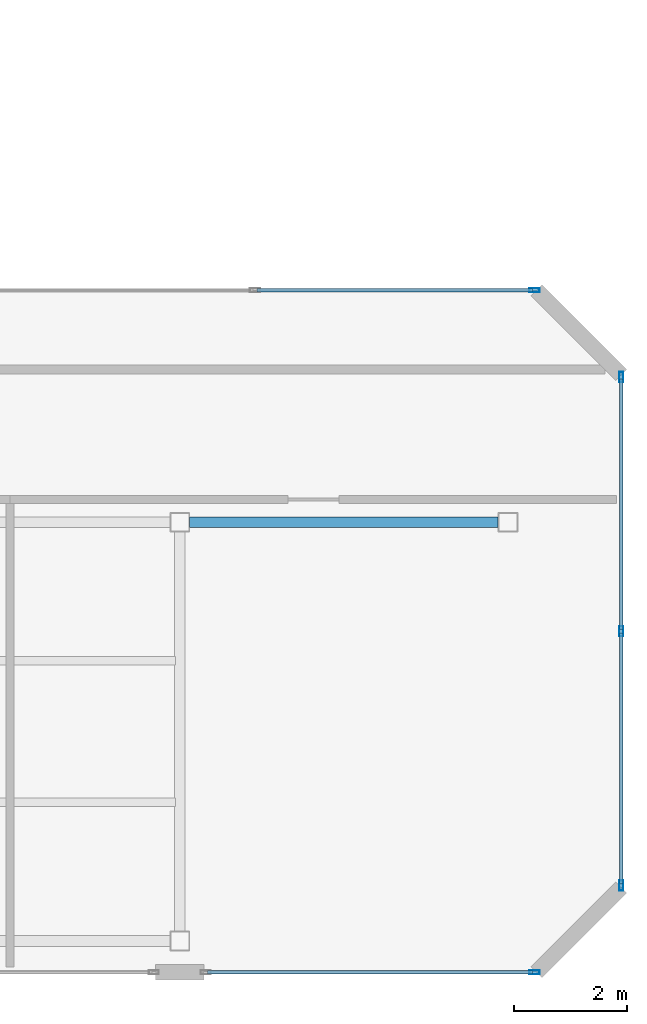
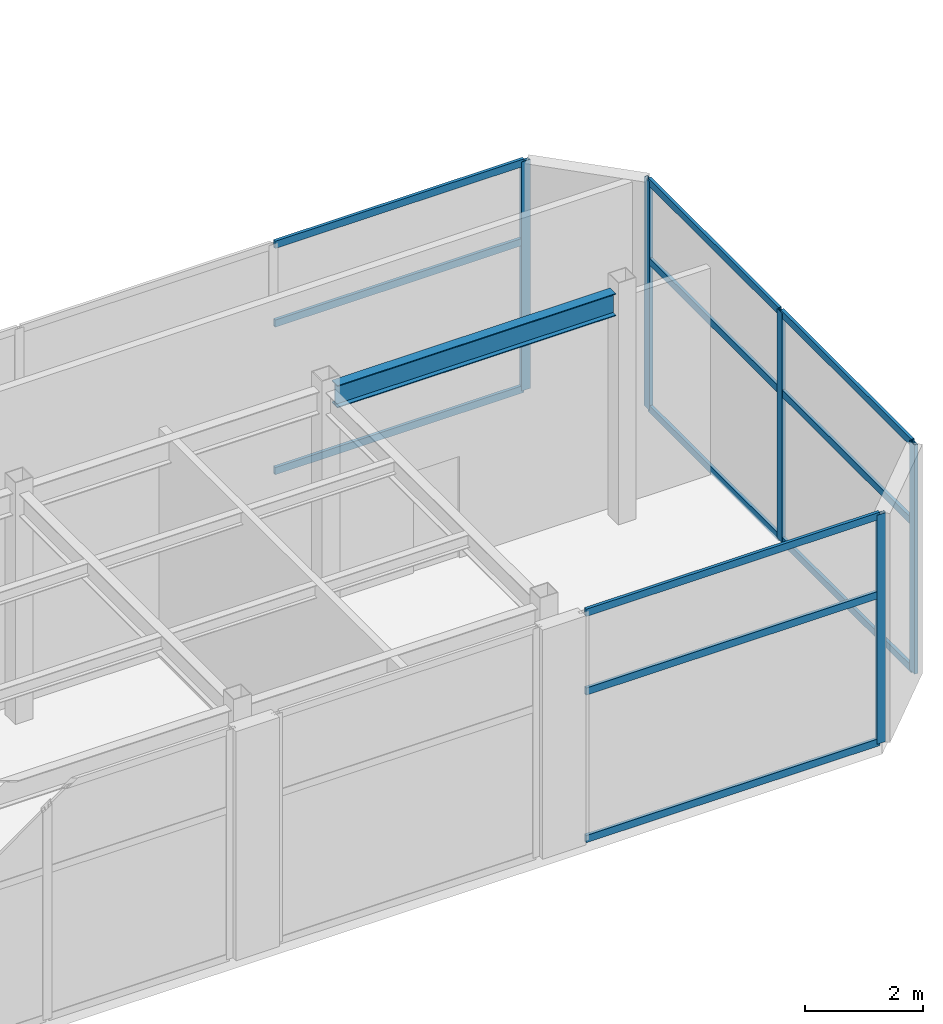
# One storey, part 12 of 18: 17 members, 1 beam, 3 elements without a shape of their own.
"""IFC4 building model written with IfcOpenShell, lengths in metres."""

import ifcopenshell
import ifcopenshell.guid

model = None  # the IFC model being written
_history = None  # IfcOwnerHistory: only IFC2X3 demands one
_inside = {}  # id of a spatial element -> (the spatial element, [elements in it])
_under = {}  # id of a project, library or spatial element -> (it, [spatial elements below it])
_declared = {}  # id of a project -> (the project, [libraries it declares])
_typed = {}  # id of a type object -> (the type object, [elements of that type])
_made_of = {}  # id of a material, layer set ... -> (it, [elements and type objects made of it])


def new_model(schema):
    """Start an empty IFC model of exactly this schema.

    Asked for "IFC4X3", IfcOpenShell would pick the latest addendum, in which some entities
    have other attributes; the version numbers below select the first issue.
    IFC2X3 requires an IfcOwnerHistory on every rooted entity: one is made here for all.
    """
    global model, _history
    if schema == "IFC4X3":
        model = ifcopenshell.file(schema_version=(4, 3, 0, 0))
    else:
        model = ifcopenshell.file(schema=schema)
    _inside.clear()
    _under.clear()
    _declared.clear()
    _typed.clear()
    _made_of.clear()
    _history = None
    if model.schema == "IFC2X3":
        org = make("IfcOrganization", Name="unknown")
        user = make(
            "IfcPersonAndOrganization",
            ThePerson=make("IfcPerson", FamilyName="unknown"),
            TheOrganization=org,
        )
        app = make(
            "IfcApplication",
            ApplicationDeveloper=org,
            Version="unknown",
            ApplicationFullName="unknown",
            ApplicationIdentifier="unknown",
        )
        _history = make(
            "IfcOwnerHistory",
            OwningUser=user,
            OwningApplication=app,
            ChangeAction="ADDED",
            CreationDate=0,
        )
    return model


def make(cls, **values):
    """One entity of the class cls with the attributes given. An attribute that is None is left unset."""
    return model.create_entity(
        cls, **{name: value for name, value in values.items() if value is not None}
    )


def rooted(cls, **values):
    """An entity with a GlobalId (a new one), such as an element, a storey or a relation."""
    return make(cls, GlobalId=ifcopenshell.guid.new(), OwnerHistory=_history, **values)


def si_unit(unit_type, name, prefix=None):
    """IfcSIUnit, for example si_unit("LENGTHUNIT", "METRE", prefix="MILLI")."""
    return make("IfcSIUnit", UnitType=unit_type, Prefix=prefix, Name=name)


def assignment(units):
    """IfcUnitAssignment: the units of a project."""
    return None if units is None else make("IfcUnitAssignment", Units=units)


def point(xyz):
    """IfcCartesianPoint."""
    return None if xyz is None else make("IfcCartesianPoint", Coordinates=xyz)


def direction(xyz):
    """IfcDirection."""
    return None if xyz is None else make("IfcDirection", DirectionRatios=xyz)


def frame(location, z_axis=None, x_axis=None):
    """IfcAxis2Placement3D, a coordinate frame: its origin and axes. An axis left out is left unset."""
    return make(
        "IfcAxis2Placement3D",
        Location=point(location),
        Axis=direction(z_axis),
        RefDirection=direction(x_axis),
    )


def frame_2d(location, x_axis=None):
    """IfcAxis2Placement2D, a coordinate frame in the plane: its origin and x axis."""
    return make(
        "IfcAxis2Placement2D", Location=point(location), RefDirection=direction(x_axis)
    )


def origin():
    """The frame at (0, 0, 0) with its axes left unset."""
    return frame((0.0, 0.0, 0.0))


def origin_2d():
    """The frame at (0, 0) in the plane with its x axis left unset."""
    return frame_2d((0.0, 0.0))


def place(relative_to, where):
    """IfcLocalPlacement: puts the frame where relative to a parent placement (None: the world)."""
    return make(
        "IfcLocalPlacement", PlacementRelTo=relative_to, RelativePlacement=where
    )


def context(
    kind, dimensions, precision=None, world=None, true_north=None, identifier=None
):
    """IfcGeometricRepresentationContext, for example the 3D "Model" context."""
    return make(
        "IfcGeometricRepresentationContext",
        ContextIdentifier=identifier,
        ContextType=kind,
        CoordinateSpaceDimension=dimensions,
        Precision=precision,
        WorldCoordinateSystem=world,
        TrueNorth=true_north,
    )


def subcontext(parent, identifier, kind, view, scale=None):
    """IfcGeometricRepresentationSubContext, for example "Body" below "Model"."""
    return make(
        "IfcGeometricRepresentationSubContext",
        ContextIdentifier=identifier,
        ContextType=kind,
        ParentContext=parent,
        TargetScale=scale,
        TargetView=view,
    )


def project(units=None, contexts=None):
    """IfcProject with its units and contexts."""
    return rooted(
        "IfcProject",
        Name="project",
        RepresentationContexts=contexts,
        UnitsInContext=assignment(units),
    )


def spatial(cls, under=None, at=None, **own):
    """A site, building, storey or space (cls), placed at a placement, below another one or the project."""
    s = rooted(cls, ObjectPlacement=at, **own)
    if under is not None:
        _under.setdefault(under.id(), (under, []))[1].append(s)
    return s


def profile(cls, at=None, kind="AREA", **sizes):
    """A parametric profile (cls). Its sizes go by their IFC names, for example OverallWidth=200.0."""
    return make(cls, ProfileType=kind, Position=at, **sizes)


def hollow_rectangle(**sizes):
    """IfcRectangleHollowProfileDef."""
    return profile("IfcRectangleHollowProfileDef", **sizes)


def i_section(**sizes):
    """IfcIShapeProfileDef."""
    return profile("IfcIShapeProfileDef", **sizes)


def extrude(swept, where, along, depth):
    """IfcExtrudedAreaSolid: the profile swept, set in the frame where, extruded along a direction by depth."""
    return make(
        "IfcExtrudedAreaSolid",
        SweptArea=swept,
        Position=where,
        ExtrudedDirection=direction(along),
        Depth=depth,
    )


def shape(context_of_items, identifier, shape_type, items):
    """IfcShapeRepresentation: the items that make up one representation, for example the "Body"."""
    return make(
        "IfcShapeRepresentation",
        ContextOfItems=context_of_items,
        RepresentationIdentifier=identifier,
        RepresentationType=shape_type,
        Items=items,
    )


def material(Name=None, Category=None):
    """IfcMaterial."""
    return make("IfcMaterial", Name=Name, Category=Category)


def layer(
    of_material, thickness, ventilated=None, Name=None, Category=None, Priority=None
):
    """IfcMaterialLayer: one layer of a wall or slab, of a material (None: an air gap)."""
    return make(
        "IfcMaterialLayer",
        Material=of_material,
        LayerThickness=thickness,
        IsVentilated=ventilated,
        Name=Name,
        Category=Category,
        Priority=Priority,
    )


def layer_set(layers, Name=None):
    """IfcMaterialLayerSet."""
    return make("IfcMaterialLayerSet", MaterialLayers=layers, LayerSetName=Name)


def material_profile(
    of_material, cross_section, Name=None, Category=None, Priority=None
):
    """IfcMaterialProfile: a cross section and its material."""
    return make(
        "IfcMaterialProfile",
        Name=Name,
        Material=of_material,
        Profile=cross_section,
        Priority=Priority,
        Category=Category,
    )


def profile_set(profiles, Name=None, composite=None):
    """IfcMaterialProfileSet."""
    return make(
        "IfcMaterialProfileSet",
        Name=Name,
        MaterialProfiles=profiles,
        CompositeProfile=composite,
    )


def made_of(thing, what):
    """Note that an element or type object is made of a material, layer set ...; save() writes the relation."""
    if what is not None:
        _made_of.setdefault(what.id(), (what, []))[1].append(thing)
    return thing


def type_object(cls, material=None, **own):
    """A type object (cls), such as IfcWallType, which elements share."""
    return made_of(rooted(cls, **own), material)


def element(
    cls,
    number,
    at=None,
    inside=None,
    cuts=None,
    type_object=None,
    material=None,
    context=None,
    identifier="Body",
    shape_type=None,
    held_by="IfcProductDefinitionShape",
    body=None,
    shapes=None,
    **own,
):
    """One element of the class cls, such as IfcWall. Its Tag is "e" and its number.

    at: its placement. inside: the storey or other place that contains it. cuts: it is an
    opening in that element (IfcRelVoidsElement). A single representation is given by context,
    identifier, shape_type and body (its items); several are given by shapes. held_by: the class
    of the entity that holds the representations. save() writes the other relations.
    """
    e = rooted(cls, Tag="e%d" % number, ObjectPlacement=at, **own)
    if body is not None:
        shapes = [shape(context, identifier, shape_type, body)]
    if shapes is not None:
        e.Representation = make(held_by, Representations=shapes)
    if inside is not None:
        _inside.setdefault(inside.id(), (inside, []))[1].append(e)
    if cuts is not None:
        rooted(
            "IfcRelVoidsElement", RelatingBuildingElement=cuts, RelatedOpeningElement=e
        )
    if type_object is not None:
        _typed.setdefault(type_object.id(), (type_object, []))[1].append(e)
    return made_of(e, material)


def aggregate(whole, parts):
    """IfcRelAggregates: a whole, such as a stair, and the parts it consists of."""
    return rooted("IfcRelAggregates", RelatingObject=whole, RelatedObjects=parts)


def save(model, path):
    """Write the relations noted so far, then the file.

    IfcRelAggregates (storeys below a building ...), IfcRelContainedInSpatialStructure (elements
    in a storey), IfcRelDefinesByType, IfcRelAssociatesMaterial and IfcRelDeclares: one each for
    every whole, place, type object, material and project.
    """
    for whole, parts in _under.values():
        aggregate(whole, parts)
    for where, things in _inside.values():
        rooted(
            "IfcRelContainedInSpatialStructure",
            RelatedElements=things,
            RelatingStructure=where,
        )
    for kind, things in _typed.values():
        rooted("IfcRelDefinesByType", RelatedObjects=things, RelatingType=kind)
    for what, things in _made_of.values():
        rooted("IfcRelAssociatesMaterial", RelatedObjects=things, RelatingMaterial=what)
    for by, libraries in _declared.values():
        rooted("IfcRelDeclares", RelatingContext=by, RelatedDefinitions=libraries)
    model.write(path)


model = new_model("IFC4")

# Units and contexts
model_context = context("Model", 3, precision=1e-05, world=origin(), true_north=direction((0.0, 1.0)))
body_context = subcontext(model_context, "Body", "Model", "MODEL_VIEW")
ifc_project = project(units=[si_unit("LENGTHUNIT", "METRE"), si_unit("AREAUNIT", "SQUARE_METRE"), si_unit("VOLUMEUNIT", "CUBIC_METRE"), si_unit("PLANEANGLEUNIT", "RADIAN"), si_unit("MASSUNIT", "GRAM", prefix="KILO")], contexts=[model_context])

# Site, building, storey
site_placement = place(None, origin())
site = spatial("IfcSite", under=ifc_project, at=site_placement, CompositionType="ELEMENT")
building_placement = place(site_placement, origin())
building = spatial("IfcBuilding", under=site, at=building_placement, Name="Mawjaban Terraces University", CompositionType="ELEMENT")
storey_placement = place(building_placement, frame((0.0, 0.0, 316.699951171875)))
storey = spatial("IfcBuildingStorey", under=building, at=storey_placement, Name="L77", CompositionType="ELEMENT", Elevation=316.699951171875)

# Beam
ifc_material_1 = material(Name="Steel ASTM A572 Grade 50", Category="steel")
ifc_material_profile_1 = material_profile(ifc_material_1, i_section(OverallWidth=0.19189453125, OverallDepth=0.462890625, WebThickness=0.010498046875, FlangeThickness=0.017578125, at=origin_2d()), Name="W460X89")
ifc_profile_set_1 = profile_set([ifc_material_profile_1], Name="Steel ASTM A572 Grade 50")
beam_type = type_object("IfcBeamType", Name="Beam_B_W460X89", PredefinedType="BEAM", material=ifc_profile_set_1)
beam_placement = place(storey_placement, frame((52.175048828125, 7.949951171875, 4.509033203125), z_axis=(1.0, 0.0, 0.0), x_axis=(0.0, 1.0, 0.0)))
element("IfcBeam", 1, at=beam_placement, inside=storey, type_object=beam_type, Name="L77 Beam BM-L77-EW-05", PredefinedType="BEAM", context=body_context, shape_type="SweptSolid", body=[
    extrude(i_section(OverallWidth=0.19189453125, OverallDepth=0.462890625, WebThickness=0.010498046875, FlangeThickness=0.017578125, at=origin_2d()), origin(), (0.0, 0.0, 1.0), 5.449951171875),
])

# Curtain wall, member
ifc_material_2 = material(Name="Anodised aluminium 6063-T6 and solar-control low-E glass", Category="aluminium")
ifc_layer = layer(ifc_material_2, 0.199951171875)
ifc_layer_set = layer_set([ifc_layer], Name="Anodised aluminium 6063-T6 and solar-control low-E glass")
curtain_wall_type = type_object("IfcCurtainWallType", Name="CWSystem_06_ObservationCrown", PredefinedType="NOTDEFINED", material=ifc_layer_set)
curtain_wall_1_placement = place(storey_placement, origin())
curtain_wall_1 = element("IfcCurtainWall", 2, at=curtain_wall_1_placement, inside=storey, type_object=curtain_wall_type, Name="L77 Curtain Wall CW-06 Run 1.5", PredefinedType="NOTDEFINED")
ifc_material_3 = material(Name="Anodised aluminium 6063-T6", Category="aluminium")
ifc_material_profile_2 = material_profile(ifc_material_3, hollow_rectangle(XDim=0.06494140625, YDim=0.179931640625, WallThickness=0.00390625, at=origin_2d()), Name="ALU180X65X4")
ifc_profile_set_2 = profile_set([ifc_material_profile_2], Name="Anodised aluminium 6063-T6")
member_type_1 = type_object("IfcMemberType", Name="Mullion_CW-06", PredefinedType="MULLION", material=ifc_profile_set_2)
member_1_placement = place(storey_placement, frame((58.267578125, 0.0, 0.0), z_axis=(0.0, 0.0, 1.0), x_axis=(0.0, 1.0, 0.0)))
member_1 = element("IfcMember", 3, at=member_1_placement, type_object=member_type_1, Name="CW-06 mullion 2", PredefinedType="MULLION", context=body_context, shape_type="SweptSolid", body=[
    extrude(hollow_rectangle(XDim=0.06494140625, YDim=0.179931640625, WallThickness=0.00390625, at=origin_2d()), origin(), (0.0, 0.0, 1.0), 4.739990234375),
])

# Curtain wall, members
curtain_wall_2_placement = place(storey_placement, origin())
curtain_wall_2 = element("IfcCurtainWall", 4, at=curtain_wall_2_placement, inside=storey, type_object=curtain_wall_type, Name="L77 Curtain Wall CW-06 Run 3.1", PredefinedType="NOTDEFINED")
member_2_placement = place(storey_placement, frame((59.800048828125, 1.532470703125, 0.0), z_axis=(0.0, 0.0, 1.0), x_axis=(-1.0, 0.0, 0.0)))
member_2 = element("IfcMember", 5, at=member_2_placement, type_object=member_type_1, Name="CW-06 mullion 1", PredefinedType="MULLION", context=body_context, shape_type="SweptSolid", body=[
    extrude(hollow_rectangle(XDim=0.06494140625, YDim=0.179931640625, WallThickness=0.00390625, at=origin_2d()), origin(), (0.0, 0.0, 1.0), 4.739990234375),
])
member_3_placement = place(storey_placement, frame((59.800048828125, 6.02490234375, 0.0), z_axis=(0.0, 0.0, 1.0), x_axis=(-1.0, 0.0, 0.0)))
member_3 = element("IfcMember", 6, at=member_3_placement, type_object=member_type_1, Name="CW-06 mullion 2", PredefinedType="MULLION", context=body_context, shape_type="SweptSolid", body=[
    extrude(hollow_rectangle(XDim=0.06494140625, YDim=0.179931640625, WallThickness=0.00390625, at=origin_2d()), origin(), (0.0, 0.0, 1.0), 4.739990234375),
])
member_4_placement = place(storey_placement, frame((59.800048828125, 10.517578125, 0.0), z_axis=(0.0, 0.0, 1.0), x_axis=(-1.0, 0.0, 0.0)))
member_4 = element("IfcMember", 7, at=member_4_placement, type_object=member_type_1, Name="CW-06 mullion 3", PredefinedType="MULLION", context=body_context, shape_type="SweptSolid", body=[
    extrude(hollow_rectangle(XDim=0.06494140625, YDim=0.179931640625, WallThickness=0.00390625, at=origin_2d()), origin(), (0.0, 0.0, 1.0), 4.739990234375),
])

# Curtain wall, member
curtain_wall_3_placement = place(storey_placement, origin())
curtain_wall_3 = element("IfcCurtainWall", 8, at=curtain_wall_3_placement, inside=storey, type_object=curtain_wall_type, Name="L77 Curtain Wall CW-06 Run 5.1", PredefinedType="NOTDEFINED")
member_5_placement = place(storey_placement, frame((58.267578125, 12.050048828125, 0.0), z_axis=(0.0, 0.0, 1.0), x_axis=(0.0, -1.0, 0.0)))
member_5 = element("IfcMember", 9, at=member_5_placement, type_object=member_type_1, Name="CW-06 mullion 1", PredefinedType="MULLION", context=body_context, shape_type="SweptSolid", body=[
    extrude(hollow_rectangle(XDim=0.06494140625, YDim=0.179931640625, WallThickness=0.00390625, at=origin_2d()), origin(), (0.0, 0.0, 1.0), 4.739990234375),
])

# Member
ifc_material_profile_3 = material_profile(ifc_material_3, hollow_rectangle(XDim=0.06005859375, YDim=0.14990234375, WallThickness=0.00390625, at=origin_2d()), Name="ALU150X60X4")
ifc_profile_set_3 = profile_set([ifc_material_profile_3], Name="Anodised aluminium 6063-T6")
member_type_2 = type_object("IfcMemberType", Name="Transom_CW-06", PredefinedType="NOTDEFINED", material=ifc_profile_set_3)
member_6_placement = place(storey_placement, frame((52.489990234375, 0.0, 0.030029296875), z_axis=(1.0, 0.0, 0.0), x_axis=(0.0, 1.0, 0.0)))
member_6 = element("IfcMember", 10, at=member_6_placement, type_object=member_type_2, Name="CW-06 transom 1.1", ObjectType="TRANSOM", PredefinedType="USERDEFINED", context=body_context, shape_type="SweptSolid", body=[
    extrude(hollow_rectangle(XDim=0.06005859375, YDim=0.14990234375, WallThickness=0.00390625, at=origin_2d()), origin(), (0.0, 0.0, 1.0), 5.7451171875),
])

member_7_placement = place(storey_placement, frame((52.489990234375, 0.0, 3.0810546875), z_axis=(1.0, 0.0, 0.0), x_axis=(0.0, 1.0, 0.0)))
member_7 = element("IfcMember", 11, at=member_7_placement, type_object=member_type_2, Name="CW-06 transom 1.2", ObjectType="TRANSOM", PredefinedType="USERDEFINED", context=body_context, shape_type="SweptSolid", body=[
    extrude(hollow_rectangle(XDim=0.06005859375, YDim=0.14990234375, WallThickness=0.00390625, at=origin_2d()), origin(), (0.0, 0.0, 1.0), 5.7451171875),
])

member_8_placement = place(storey_placement, frame((52.489990234375, 0.0, 4.7099609375), z_axis=(1.0, 0.0, 0.0), x_axis=(0.0, 1.0, 0.0)))
member_8 = element("IfcMember", 12, at=member_8_placement, type_object=member_type_2, Name="CW-06 transom 1.3", ObjectType="TRANSOM", PredefinedType="USERDEFINED", context=body_context, shape_type="SweptSolid", body=[
    extrude(hollow_rectangle(XDim=0.06005859375, YDim=0.14990234375, WallThickness=0.00390625, at=origin_2d()), origin(), (0.0, 0.0, 1.0), 5.7451171875),
])

aggregate(curtain_wall_1, [member_1, member_6, member_7, member_8])

member_9_placement = place(storey_placement, frame((59.800048828125, 1.56494140625, 0.030029296875), z_axis=(0.0, 1.0, 0.0), x_axis=(-1.0, 0.0, 0.0)))
member_9 = element("IfcMember", 13, at=member_9_placement, type_object=member_type_2, Name="CW-06 transom 1.1", ObjectType="TRANSOM", PredefinedType="USERDEFINED", context=body_context, shape_type="SweptSolid", body=[
    extrude(hollow_rectangle(XDim=0.06005859375, YDim=0.14990234375, WallThickness=0.00390625, at=origin_2d()), origin(), (0.0, 0.0, 1.0), 4.427490234375),
])

member_10_placement = place(storey_placement, frame((59.800048828125, 1.56494140625, 3.0810546875), z_axis=(0.0, 1.0, 0.0), x_axis=(-1.0, 0.0, 0.0)))
member_10 = element("IfcMember", 14, at=member_10_placement, type_object=member_type_2, Name="CW-06 transom 1.2", ObjectType="TRANSOM", PredefinedType="USERDEFINED", context=body_context, shape_type="SweptSolid", body=[
    extrude(hollow_rectangle(XDim=0.06005859375, YDim=0.14990234375, WallThickness=0.00390625, at=origin_2d()), origin(), (0.0, 0.0, 1.0), 4.427490234375),
])

member_11_placement = place(storey_placement, frame((59.800048828125, 1.56494140625, 4.7099609375), z_axis=(0.0, 1.0, 0.0), x_axis=(-1.0, 0.0, 0.0)))
member_11 = element("IfcMember", 15, at=member_11_placement, type_object=member_type_2, Name="CW-06 transom 1.3", ObjectType="TRANSOM", PredefinedType="USERDEFINED", context=body_context, shape_type="SweptSolid", body=[
    extrude(hollow_rectangle(XDim=0.06005859375, YDim=0.14990234375, WallThickness=0.00390625, at=origin_2d()), origin(), (0.0, 0.0, 1.0), 4.427490234375),
])

member_12_placement = place(storey_placement, frame((59.800048828125, 6.0576171875, 0.030029296875), z_axis=(0.0, 1.0, 0.0), x_axis=(-1.0, 0.0, 0.0)))
member_12 = element("IfcMember", 16, at=member_12_placement, type_object=member_type_2, Name="CW-06 transom 2.1", ObjectType="TRANSOM", PredefinedType="USERDEFINED", context=body_context, shape_type="SweptSolid", body=[
    extrude(hollow_rectangle(XDim=0.06005859375, YDim=0.14990234375, WallThickness=0.00390625, at=origin_2d()), origin(), (0.0, 0.0, 1.0), 4.427490234375),
])

member_13_placement = place(storey_placement, frame((59.800048828125, 6.0576171875, 3.0810546875), z_axis=(0.0, 1.0, 0.0), x_axis=(-1.0, 0.0, 0.0)))
member_13 = element("IfcMember", 17, at=member_13_placement, type_object=member_type_2, Name="CW-06 transom 2.2", ObjectType="TRANSOM", PredefinedType="USERDEFINED", context=body_context, shape_type="SweptSolid", body=[
    extrude(hollow_rectangle(XDim=0.06005859375, YDim=0.14990234375, WallThickness=0.00390625, at=origin_2d()), origin(), (0.0, 0.0, 1.0), 4.427490234375),
])

member_14_placement = place(storey_placement, frame((59.800048828125, 6.0576171875, 4.7099609375), z_axis=(0.0, 1.0, 0.0), x_axis=(-1.0, 0.0, 0.0)))
member_14 = element("IfcMember", 18, at=member_14_placement, type_object=member_type_2, Name="CW-06 transom 2.3", ObjectType="TRANSOM", PredefinedType="USERDEFINED", context=body_context, shape_type="SweptSolid", body=[
    extrude(hollow_rectangle(XDim=0.06005859375, YDim=0.14990234375, WallThickness=0.00390625, at=origin_2d()), origin(), (0.0, 0.0, 1.0), 4.427490234375),
])

aggregate(curtain_wall_2, [member_2, member_3, member_4, member_9, member_10, member_11, member_12, member_13, member_14])

member_15_placement = place(storey_placement, frame((58.235107421875, 12.050048828125, 0.030029296875), z_axis=(-1.0, 0.0, 0.0), x_axis=(0.0, -1.0, 0.0)))
member_15 = element("IfcMember", 19, at=member_15_placement, type_object=member_type_2, Name="CW-06 transom 1.1", ObjectType="TRANSOM", PredefinedType="USERDEFINED", context=body_context, shape_type="SweptSolid", body=[
    extrude(hollow_rectangle(XDim=0.06005859375, YDim=0.14990234375, WallThickness=0.00390625, at=origin_2d()), origin(), (0.0, 0.0, 1.0), 4.8740234375),
])

member_16_placement = place(storey_placement, frame((58.235107421875, 12.050048828125, 3.0810546875), z_axis=(-1.0, 0.0, 0.0), x_axis=(0.0, -1.0, 0.0)))
member_16 = element("IfcMember", 20, at=member_16_placement, type_object=member_type_2, Name="CW-06 transom 1.2", ObjectType="TRANSOM", PredefinedType="USERDEFINED", context=body_context, shape_type="SweptSolid", body=[
    extrude(hollow_rectangle(XDim=0.06005859375, YDim=0.14990234375, WallThickness=0.00390625, at=origin_2d()), origin(), (0.0, 0.0, 1.0), 4.8740234375),
])

member_17_placement = place(storey_placement, frame((58.235107421875, 12.050048828125, 4.7099609375), z_axis=(-1.0, 0.0, 0.0), x_axis=(0.0, -1.0, 0.0)))
member_17 = element("IfcMember", 21, at=member_17_placement, type_object=member_type_2, Name="CW-06 transom 1.3", ObjectType="TRANSOM", PredefinedType="USERDEFINED", context=body_context, shape_type="SweptSolid", body=[
    extrude(hollow_rectangle(XDim=0.06005859375, YDim=0.14990234375, WallThickness=0.00390625, at=origin_2d()), origin(), (0.0, 0.0, 1.0), 4.8740234375),
])

aggregate(curtain_wall_3, [member_5, member_15, member_16, member_17])

save(model, "model.ifc")
